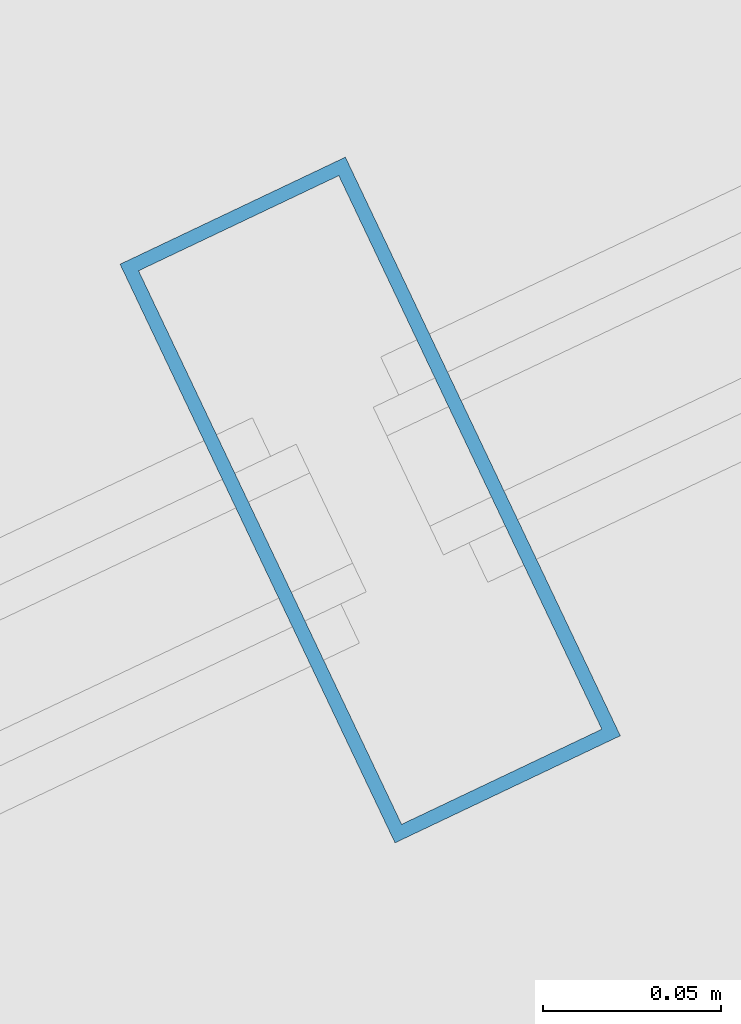
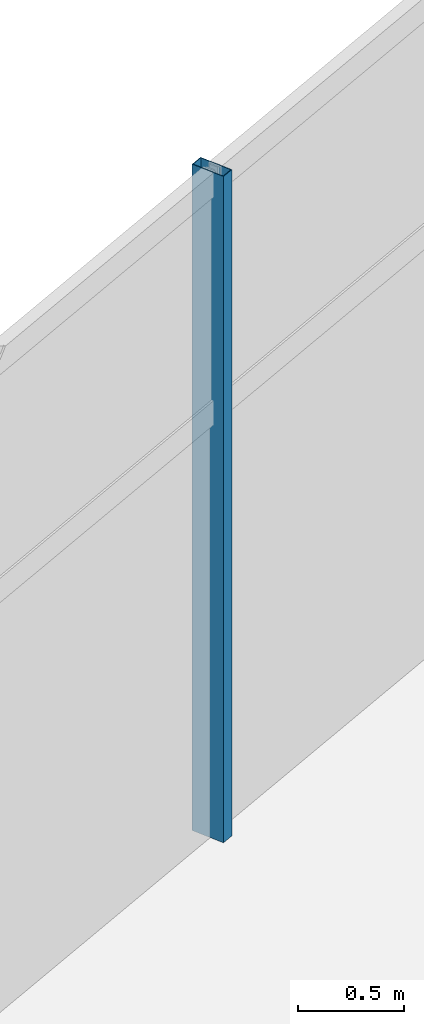
# One storey, part 72 of 156: 1 member, 1 element without a shape of its own.
"""IFC4 building model written with IfcOpenShell, lengths in metres."""

from ifc_helpers import new_model, si_unit, direction, frame, origin, origin_2d, place, context, subcontext, project, spatial, hollow_rectangle, extrude, material, layer, layer_set, material_profile, profile_set, type_object, element, aggregate, save


model = new_model("IFC4")

# Units and contexts
model_context = context("Model", 3, precision=1e-05, world=origin(), true_north=direction((0.0, 1.0)))
body_context = subcontext(model_context, "Body", "Model", "MODEL_VIEW")
ifc_project = project(units=[si_unit("LENGTHUNIT", "METRE"), si_unit("AREAUNIT", "SQUARE_METRE"), si_unit("VOLUMEUNIT", "CUBIC_METRE"), si_unit("PLANEANGLEUNIT", "RADIAN"), si_unit("MASSUNIT", "GRAM", prefix="KILO")], contexts=[model_context])

# Site, building, storey
site_placement = place(None, origin())
site = spatial("IfcSite", under=ifc_project, at=site_placement, CompositionType="ELEMENT")
building_placement = place(site_placement, origin())
building = spatial("IfcBuilding", under=site, at=building_placement, Name="Kazemori Nagisa Stadium", CompositionType="ELEMENT")
storey_placement = place(building_placement, frame((0.0, 0.0, 5.780029296875)))
storey = spatial("IfcBuildingStorey", under=building, at=storey_placement, Name="L01", CompositionType="ELEMENT", Elevation=5.780029296875)

# Curtain wall, member
ifc_material_1 = material(Name="Anodised aluminium 6063-T5", Category="aluminium")
ifc_layer = layer(ifc_material_1, 0.179931640625, Name="Anodised aluminium 6063-T5", Category="aluminium")
ifc_layer_set = layer_set([ifc_layer], Name="Anodised aluminium 6063-T5")
curtain_wall_type = type_object("IfcCurtainWallType", Name="CW_L01R3_105", PredefinedType="USERDEFINED", material=ifc_layer_set)
curtain_wall_placement = place(storey_placement, origin())
curtain_wall = element("IfcCurtainWall", 1, at=curtain_wall_placement, inside=storey, type_object=curtain_wall_type, Name="Unitised curtain wall CW-L01R3-105 L01", ObjectType="UNITISED CURTAIN WALL", PredefinedType="USERDEFINED")
ifc_material_2 = material(Name="Aluminium 6063-T5 anodised", Category="aluminium")
ifc_material_profile = material_profile(ifc_material_2, hollow_rectangle(XDim=0.070068359375, YDim=0.179931640625, WallThickness=0.00390625, at=origin_2d()), Name="ALU-MULL-70x180x4")
ifc_profile_set = profile_set([ifc_material_profile], Name="Aluminium 6063-T5 anodised")
member_type = type_object("IfcMemberType", Name="Mullion_M01", PredefinedType="MULLION", material=ifc_profile_set)
member_placement = place(storey_placement, frame((67.142822265625, 176.261962890625, 0.0), z_axis=(0.0, 0.0, 1.0), x_axis=(-0.903215892654, -0.429186499388, 0.0)))
member = element("IfcMember", 2, at=member_placement, type_object=member_type, Name="Curtain wall mullion CW-L01R3-105-M3", PredefinedType="MULLION", context=body_context, shape_type="SweptSolid", body=[
    extrude(hollow_rectangle(XDim=0.070068359375, YDim=0.179931640625, WallThickness=0.00390625, at=origin_2d()), origin(), (0.0, 0.0, 1.0), 3.849853515625),
])
aggregate(curtain_wall, [member])

save(model, "model.ifc")
